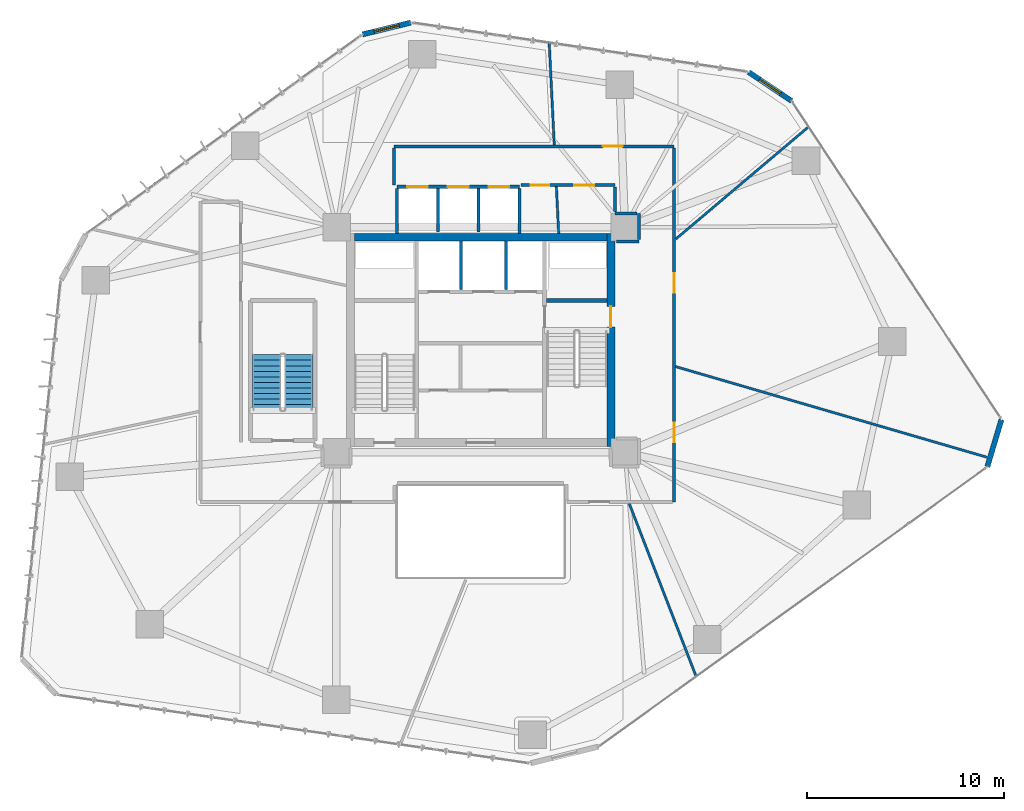
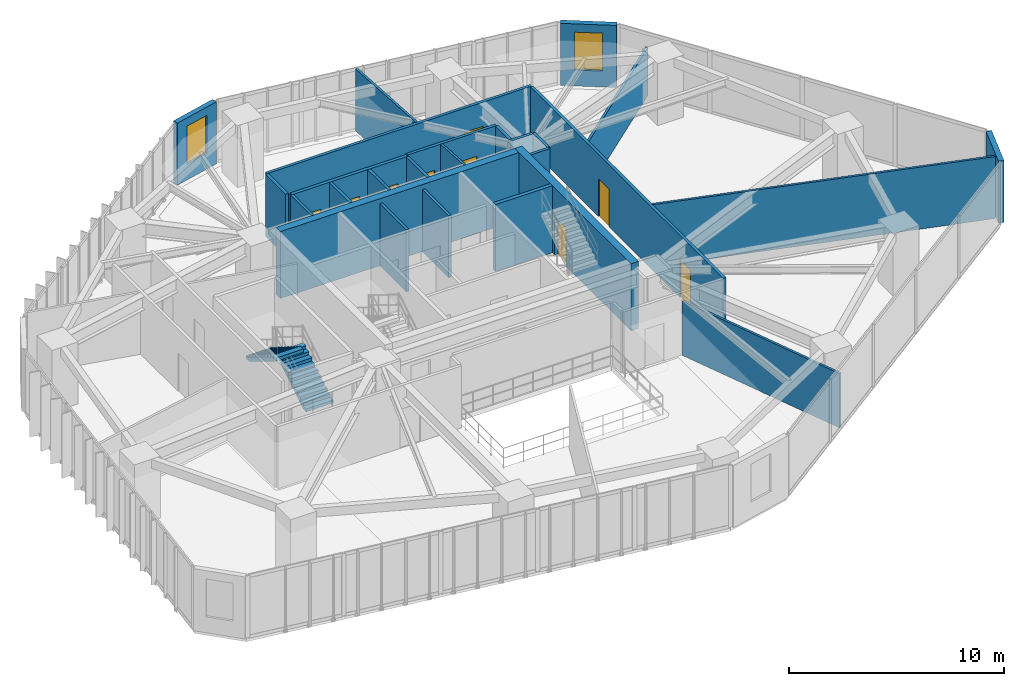
# One storey, part 19 of 22: 26 walls, 9 doors, 2 stair flights, 2 windows, 11 openings, 1 element without a shape of its own.
"""IFC4 building model written with IfcOpenShell, lengths in metres."""

from ifc_helpers import new_model, si_unit, direction, frame, frame_2d, origin, place, context, subcontext, project, spatial, polyline, rectangle, outline, extrude, source, transform, mapped, material, layer, layer_set, type_object, type_shapes, element, fill, aggregate, save


model = new_model("IFC4")

# Units and contexts
model_context = context("Model", 3, precision=1e-05, world=origin(), true_north=direction((0.0, 1.0)))
body_context = subcontext(model_context, "Body", "Model", "MODEL_VIEW")
ifc_project = project(units=[si_unit("LENGTHUNIT", "METRE"), si_unit("AREAUNIT", "SQUARE_METRE"), si_unit("VOLUMEUNIT", "CUBIC_METRE"), si_unit("PLANEANGLEUNIT", "RADIAN"), si_unit("MASSUNIT", "GRAM", prefix="KILO")], contexts=[model_context])

# Site, building, storey
site_placement = place(None, origin())
site = spatial("IfcSite", under=ifc_project, at=site_placement, CompositionType="ELEMENT")
building_placement = place(site_placement, origin())
building = spatial("IfcBuilding", under=site, at=building_placement, Name="Talar Marvaseh", CompositionType="ELEMENT")
storey_placement = place(building_placement, frame((0.0, 0.0, 65.800048828125)))
storey = spatial("IfcBuildingStorey", under=building, at=storey_placement, Name="L16", CompositionType="ELEMENT", Elevation=65.800048828125)

# Wall, opening, window
ifc_material_1 = material(Name="Precast concrete C45/55", Category="concrete")
ifc_layer_1 = layer(ifc_material_1, 0.27001953125)
ifc_layer_set_1 = layer_set([ifc_layer_1], Name="Precast concrete C45/55")
wall_type_1 = type_object("IfcWallType", Name="Chamfered Hexagonal Corner Pier Wall Z1 270", PredefinedType="SOLIDWALL", material=ifc_layer_set_1)
wall_1_placement = place(storey_placement, frame((20.012451171875, 46.676513671875, 0.0), z_axis=(0.0, 0.0, 1.0), x_axis=(0.971351734303, 0.237646393337, 0.0)))
wall_1 = element("IfcWall", 1, at=wall_1_placement, inside=storey, type_object=wall_type_1, Name="L16 Chamfered Corner Limestone Pier 3", PredefinedType="SOLIDWALL", context=body_context, shape_type="SweptSolid", body=[
    extrude(rectangle(XDim=2.515869140625, YDim=0.27001953125, at=frame_2d((1.2578125, 0.0))), origin(), (0.0, 0.0, 1.0), 3.52001953125),
])
opening_1_placement = place(wall_1_placement, frame((0.60791015625, 0.0, 0.89990234375)))
opening_1 = element("IfcOpeningElement", 2, at=opening_1_placement, cuts=wall_1, Name="Opening WN-CHM13", PredefinedType="OPENING", context=body_context, shape_type="SweptSolid", body=[
    extrude(rectangle(XDim=1.300048828125, YDim=2.14990234375, at=frame_2d((0.64990234375, 1.074951171875))), frame((0.0, 0.14501953125, 0.0), z_axis=(0.0, -1.0, 0.0), x_axis=(1.0, 0.0, 0.0)), (0.0, 0.0, 1.0), 0.2900390625),
])
ifc_material_2 = material(Name="Laminated Low-E Solar Glass", Category="glass")
window_type = type_object("IfcWindowType", Name="Zone 1 Chamfered Corner Slot Window 1300x2150", PartitioningType="SINGLE_PANEL", PredefinedType="WINDOW", material=ifc_material_2)
shared_shape_1 = source(origin(), body_context, "Body", "SweptSolid", [
    extrude(rectangle(XDim=1.300048828125, YDim=2.14990234375, at=frame_2d((0.64990234375, 1.074951171875))), frame((0.0, 0.030029296875, 0.0), z_axis=(0.0, -1.0, 0.0), x_axis=(1.0, 0.0, 0.0)), (0.0, 0.0, 1.0), 0.06005859375),
])
type_shapes(window_type, [shared_shape_1])
window_1_placement = place(opening_1_placement, origin())
window_1 = element("IfcWindow", 3, at=window_1_placement, inside=storey, type_object=window_type, Name="L16 Chamfered Corner Slot Window", OverallHeight=2.14990234375, OverallWidth=1.300048828125, PartitioningType="SINGLE_PANEL", PredefinedType="WINDOW", context=body_context, shape_type="MappedRepresentation", body=[
    mapped(shared_shape_1, transform((0.0, 0.0, 0.0), x_axis=(1.0, 0.0, 0.0), y_axis=(0.0, 1.0, 0.0), z_axis=(0.0, 0.0, 1.0), scale=1.0)),
])
fill(opening_1, window_1)

wall_2_placement = place(storey_placement, frame((39.570068359375, 44.770751953125, 0.0), z_axis=(0.0, 0.0, 1.0), x_axis=(0.83025620143, -0.557381951616, 0.0)))
wall_2 = element("IfcWall", 4, at=wall_2_placement, inside=storey, type_object=wall_type_1, Name="L16 Chamfered Corner Limestone Pier 4", PredefinedType="SOLIDWALL", context=body_context, shape_type="SweptSolid", body=[
    extrude(rectangle(XDim=2.623291015625, YDim=0.27001953125, at=frame_2d((1.3115234375, 0.0))), origin(), (0.0, 0.0, 1.0), 3.52001953125),
])
opening_2_placement = place(wall_2_placement, frame((0.662109375, 0.0, 0.89990234375)))
opening_2 = element("IfcOpeningElement", 5, at=opening_2_placement, cuts=wall_2, Name="Opening WN-CHM13", PredefinedType="OPENING", context=body_context, shape_type="SweptSolid", body=[
    extrude(rectangle(XDim=1.300048828125, YDim=2.14990234375, at=frame_2d((0.64990234375, 1.074951171875))), frame((0.0, 0.14501953125, 0.0), z_axis=(0.0, -1.0, 0.0), x_axis=(1.0, 0.0, 0.0)), (0.0, 0.0, 1.0), 0.2900390625),
])
window_2_placement = place(opening_2_placement, origin())
window_2 = element("IfcWindow", 6, at=window_2_placement, inside=storey, type_object=window_type, Name="L16 Chamfered Corner Slot Window", OverallHeight=2.14990234375, OverallWidth=1.300048828125, PartitioningType="SINGLE_PANEL", PredefinedType="WINDOW", context=body_context, shape_type="MappedRepresentation", body=[
    mapped(shared_shape_1, transform((0.0, 0.0, 0.0), x_axis=(1.0, 0.0, 0.0), y_axis=(0.0, 1.0, 0.0), z_axis=(0.0, 0.0, 1.0), scale=1.0)),
])
fill(opening_2, window_2)

# Wall
wall_3_placement = place(storey_placement, frame((52.379150390625, 27.15771484375, 0.0), z_axis=(0.0, 0.0, 1.0), x_axis=(-0.286978186345, -0.957937117228, 0.0)))
element("IfcWall", 7, at=wall_3_placement, inside=storey, type_object=wall_type_1, Name="L16 Chamfered Corner Limestone Pier 5", PredefinedType="SOLIDWALL", context=body_context, shape_type="SweptSolid", body=[
    extrude(rectangle(XDim=2.484130859375, YDim=0.27001953125, at=frame_2d((1.2421875, 0.0))), origin(), (0.0, 0.0, 1.0), 3.52001953125),
])

# Wall, openings, doors
ifc_material_3 = material(Name="Gypsum Board Partition Assembly")
ifc_layer_2 = layer(ifc_material_3, 0.155029296875)
ifc_layer_set_2 = layer_set([ifc_layer_2], Name="Gypsum Board Partition Assembly")
wall_type_2 = type_object("IfcWallType", Name="Corridor Fire-Rated Acoustic Partition 155", PredefinedType="PARTITIONING", material=ifc_layer_set_2)
wall_4_placement = place(storey_placement, frame((32.800048828125, 39.0400390625, 0.0), z_axis=(0.0, 0.0, 1.0), x_axis=(-1.0, 0.0, 0.0)))
wall_4 = element("IfcWall", 8, at=wall_4_placement, inside=storey, type_object=wall_type_2, Name="L16 Interior Partition Wall", PredefinedType="PARTITIONING", context=body_context, shape_type="SweptSolid", body=[
    extrude(rectangle(XDim=4.77001953125, YDim=0.155029296875, at=frame_2d((2.385009765625, 0.0))), origin(), (0.0, 0.0, 1.0), 3.52001953125),
])
opening_3_placement = place(wall_4_placement, frame((1.056884765625, 0.0, 0.0)))
opening_3 = element("IfcOpeningElement", 9, at=opening_3_placement, cuts=wall_4, Name="Opening DR-RM100", PredefinedType="OPENING", context=body_context, shape_type="SweptSolid", body=[
    extrude(rectangle(XDim=1.0, YDim=2.14990234375, at=frame_2d((0.5, 1.074951171875))), frame((0.0, 0.08740234375, 0.0), z_axis=(0.0, -1.0, 0.0), x_axis=(1.0, 0.0, 0.0)), (0.0, 0.0, 1.0), 0.175048828125),
])
opening_4_placement = place(wall_4_placement, frame((3.326904296875, 0.0, 0.0)))
opening_4 = element("IfcOpeningElement", 10, at=opening_4_placement, cuts=wall_4, Name="Opening DR-WC095", PredefinedType="OPENING", context=body_context, shape_type="SweptSolid", body=[
    extrude(rectangle(XDim=0.949951171875, YDim=2.14990234375, at=frame_2d((0.47509765625, 1.074951171875))), frame((0.0, 0.08740234375, 0.0), z_axis=(0.0, -1.0, 0.0), x_axis=(1.0, 0.0, 0.0)), (0.0, 0.0, 1.0), 0.175048828125),
])
ifc_material_4 = material(Name="Acoustic Engineered Oak Timber", Category="wood")
door_type_1 = type_object("IfcDoorType", Name="Washroom and Service Room Door 950x2150", OperationType="NOTDEFINED", PredefinedType="DOOR", material=ifc_material_4)
shared_shape_2 = source(origin(), body_context, "Body", "SweptSolid", [
    extrude(rectangle(XDim=0.949951171875, YDim=2.14990234375, at=frame_2d((0.47509765625, 1.074951171875))), frame((0.0, 0.02490234375, 0.0), z_axis=(0.0, -1.0, 0.0), x_axis=(1.0, 0.0, 0.0)), (0.0, 0.0, 1.0), 0.050048828125),
])
type_shapes(door_type_1, [shared_shape_2])
door_1_placement = place(opening_4_placement, origin())
door_1 = element("IfcDoor", 11, at=door_1_placement, inside=storey, type_object=door_type_1, Name="L16 WC Public Washrooms Door", OperationType="SINGLE_SWING_LEFT", OverallHeight=2.14990234375, OverallWidth=0.949951171875, PredefinedType="DOOR", context=body_context, shape_type="MappedRepresentation", body=[
    mapped(shared_shape_2, transform((0.0, 0.0, 0.0), x_axis=(1.0, 0.0, 0.0), y_axis=(0.0, 1.0, 0.0), z_axis=(0.0, 0.0, 1.0), scale=1.0)),
])
fill(opening_4, door_1)
door_type_2 = type_object("IfcDoorType", Name="Corridor Fire-Rated Gallery Door 1000x2150", OperationType="NOTDEFINED", PredefinedType="DOOR", material=ifc_material_4)
shared_shape_3 = source(origin(), body_context, "Body", "SweptSolid", [
    extrude(rectangle(XDim=1.0, YDim=2.14990234375, at=frame_2d((0.5, 1.074951171875))), frame((0.0, 0.02490234375, 0.0), z_axis=(0.0, -1.0, 0.0), x_axis=(1.0, 0.0, 0.0)), (0.0, 0.0, 1.0), 0.050048828125),
])
type_shapes(door_type_2, [shared_shape_3])
door_2_placement = place(opening_3_placement, origin())
door_2 = element("IfcDoor", 12, at=door_2_placement, inside=storey, type_object=door_type_2, Name="L16 Archival Facsimile Boutique Door", OperationType="SINGLE_SWING_RIGHT", OverallHeight=2.14990234375, OverallWidth=1.0, PredefinedType="DOOR", context=body_context, shape_type="MappedRepresentation", body=[
    mapped(shared_shape_3, transform((0.0, 0.0, 0.0), x_axis=(1.0, 0.0, 0.0), y_axis=(0.0, 1.0, 0.0), z_axis=(0.0, 0.0, 1.0), scale=1.0)),
])
fill(opening_3, door_2)

# Wall, opening, door
wall_5_placement = place(storey_placement, frame((21.60009765625, 41.0, 0.0), z_axis=(0.0, 0.0, 1.0), x_axis=(1.0, 0.0, 0.0)))
wall_5 = element("IfcWall", 13, at=wall_5_placement, inside=storey, type_object=wall_type_2, Name="L16 Interior Partition Wall", PredefinedType="PARTITIONING", context=body_context, shape_type="SweptSolid", body=[
    extrude(rectangle(XDim=14.199951171875, YDim=0.155029296875, at=frame_2d((7.10009765625, 0.0))), origin(), (0.0, 0.0, 1.0), 3.52001953125),
])
opening_5_placement = place(wall_5_placement, frame((10.59423828125, 0.0, 0.0)))
opening_5 = element("IfcOpeningElement", 14, at=opening_5_placement, cuts=wall_5, Name="Opening DR-RM100", PredefinedType="OPENING", context=body_context, shape_type="SweptSolid", body=[
    extrude(rectangle(XDim=1.0, YDim=2.14990234375, at=frame_2d((0.5, 1.074951171875))), frame((0.0, 0.08740234375, 0.0), z_axis=(0.0, -1.0, 0.0), x_axis=(1.0, 0.0, 0.0)), (0.0, 0.0, 1.0), 0.175048828125),
])
door_3_placement = place(opening_5_placement, origin())
door_3 = element("IfcDoor", 15, at=door_3_placement, inside=storey, type_object=door_type_2, Name="L16 Chamber Recital Salon Door", OperationType="SINGLE_SWING_LEFT", OverallHeight=2.14990234375, OverallWidth=1.0, PredefinedType="DOOR", context=body_context, shape_type="MappedRepresentation", body=[
    mapped(shared_shape_3, transform((0.0, 0.0, 0.0), x_axis=(1.0, 0.0, 0.0), y_axis=(0.0, 1.0, 0.0), z_axis=(0.0, 0.0, 1.0), scale=1.0)),
])
fill(opening_5, door_3)

# Wall, openings, doors
wall_6_placement = place(storey_placement, frame((35.800048828125, 40.91650390625, 0.0), z_axis=(0.0, 0.0, 1.0), x_axis=(0.0, -1.0, 0.0)))
wall_6 = element("IfcWall", 16, at=wall_6_placement, inside=storey, type_object=wall_type_2, Name="L16 Interior Partition Wall", PredefinedType="PARTITIONING", context=body_context, shape_type="SweptSolid", body=[
    extrude(rectangle(XDim=17.91650390625, YDim=0.155029296875, at=frame_2d((8.958251953125, 0.0))), origin(), (0.0, 0.0, 1.0), 3.52001953125),
])
opening_6_placement = place(wall_6_placement, frame((13.91162109375, 0.0, 0.0)))
opening_6 = element("IfcOpeningElement", 17, at=opening_6_placement, cuts=wall_6, Name="Opening DR-RM100", PredefinedType="OPENING", context=body_context, shape_type="SweptSolid", body=[
    extrude(rectangle(XDim=1.0, YDim=2.14990234375, at=frame_2d((0.5, 1.074951171875))), frame((0.0, 0.08740234375, 0.0), z_axis=(0.0, -1.0, 0.0), x_axis=(1.0, 0.0, 0.0)), (0.0, 0.0, 1.0), 0.175048828125),
])
opening_7_placement = place(wall_6_placement, frame((6.339599609375, 0.0, 0.0)))
opening_7 = element("IfcOpeningElement", 18, at=opening_7_placement, cuts=wall_6, Name="Opening DR-RM100", PredefinedType="OPENING", context=body_context, shape_type="SweptSolid", body=[
    extrude(rectangle(XDim=1.0, YDim=2.14990234375, at=frame_2d((0.5, 1.074951171875))), frame((0.0, 0.08740234375, 0.0), z_axis=(0.0, -1.0, 0.0), x_axis=(1.0, 0.0, 0.0)), (0.0, 0.0, 1.0), 0.175048828125),
])
door_4_placement = place(opening_6_placement, origin())
door_4 = element("IfcDoor", 19, at=door_4_placement, inside=storey, type_object=door_type_2, Name="L16 Main Reading Room Door", OperationType="SINGLE_SWING_LEFT", OverallHeight=2.14990234375, OverallWidth=1.0, PredefinedType="DOOR", context=body_context, shape_type="MappedRepresentation", body=[
    mapped(shared_shape_3, transform((0.0, 0.0, 0.0), x_axis=(1.0, 0.0, 0.0), y_axis=(0.0, 1.0, 0.0), z_axis=(0.0, 0.0, 1.0), scale=1.0)),
])
fill(opening_6, door_4)
door_5_placement = place(opening_7_placement, origin())
door_5 = element("IfcDoor", 20, at=door_5_placement, inside=storey, type_object=door_type_2, Name="L16 Artisan Craft Showroom Door", OperationType="SINGLE_SWING_RIGHT", OverallHeight=2.14990234375, OverallWidth=1.0, PredefinedType="DOOR", context=body_context, shape_type="MappedRepresentation", body=[
    mapped(shared_shape_3, transform((0.0, 0.0, 0.0), x_axis=(1.0, 0.0, 0.0), y_axis=(0.0, 1.0, 0.0), z_axis=(0.0, 0.0, 1.0), scale=1.0)),
])
fill(opening_7, door_5)

# Walls
wall_7_placement = place(storey_placement, frame((32.8701171875, 36.18505859375, 0.0), z_axis=(0.0, 0.0, 1.0), x_axis=(0.999988932255, 0.00470482389, 0.0)))
element("IfcWall", 21, at=wall_7_placement, inside=storey, type_object=wall_type_2, Name="L16 Interior Partition Wall", PredefinedType="PARTITIONING", context=body_context, shape_type="SweptSolid", body=[
    extrude(rectangle(XDim=1.1416015625, YDim=0.155029296875, at=frame_2d((0.57080078125, 0.0))), origin(), (0.0, 0.0, 1.0), 3.52001953125),
])
wall_8_placement = place(storey_placement, frame((34.01171875, 36.27392578125, 0.0), z_axis=(0.0, 0.0, 1.0), x_axis=(0.0, 1.0, 0.0)))
element("IfcWall", 22, at=wall_8_placement, inside=storey, type_object=wall_type_2, Name="L16 Interior Partition Wall", PredefinedType="PARTITIONING", context=body_context, shape_type="SweptSolid", body=[
    extrude(rectangle(XDim=1.335693359375, YDim=0.155029296875, at=frame_2d((0.66796875, 0.0))), origin(), (0.0, 0.0, 1.0), 3.52001953125),
])
wall_9_placement = place(storey_placement, frame((33.927978515625, 37.60986328125, 0.0), z_axis=(0.0, 0.0, 1.0), x_axis=(-0.999989669582, 0.004545407589, 0.0)))
element("IfcWall", 23, at=wall_9_placement, inside=storey, type_object=wall_type_2, Name="L16 Interior Partition Wall", PredefinedType="PARTITIONING", context=body_context, shape_type="SweptSolid", body=[
    extrude(rectangle(XDim=1.1279296875, YDim=0.155029296875, at=frame_2d((0.56396484375, 0.0))), origin(), (0.0, 0.0, 1.0), 3.52001953125),
])
wall_10_placement = place(storey_placement, frame((32.800048828125, 37.698486328125, 0.0), z_axis=(0.0, 0.0, 1.0), x_axis=(0.0, 1.0, 0.0)))
element("IfcWall", 24, at=wall_10_placement, inside=storey, type_object=wall_type_2, Name="L16 Interior Partition Wall", PredefinedType="PARTITIONING", context=body_context, shape_type="SweptSolid", body=[
    extrude(rectangle(XDim=1.258056640625, YDim=0.155029296875, at=frame_2d((0.62890625, 0.0))), origin(), (0.0, 0.0, 1.0), 3.52001953125),
])
wall_11_placement = place(storey_placement, frame((21.60009765625, 39.0400390625, 0.0), z_axis=(0.0, 0.0, 1.0), x_axis=(0.0, 1.0, 0.0)))
element("IfcWall", 25, at=wall_11_placement, inside=storey, type_object=wall_type_2, Name="L16 Interior Partition Wall", PredefinedType="PARTITIONING", context=body_context, shape_type="SweptSolid", body=[
    extrude(rectangle(XDim=1.87646484375, YDim=0.155029296875, at=frame_2d((0.938232421875, 0.0))), origin(), (0.0, 0.0, 1.0), 3.52001953125),
])
ifc_layer_3 = layer(ifc_material_3, 0.1201171875)
ifc_layer_set_3 = layer_set([ifc_layer_3], Name="Gypsum Board Partition Assembly")
wall_type_3 = type_object("IfcWallType", Name="Demountable Studio Room Partition 120", PredefinedType="PARTITIONING", material=ifc_layer_set_3)
wall_12_placement = place(storey_placement, frame((33.5224609375, 22.91650390625, 0.0), z_axis=(0.0, 0.0, 1.0), x_axis=(0.360764765999, -0.932656841295, 0.0)))
element("IfcWall", 26, at=wall_12_placement, inside=storey, type_object=wall_type_3, Name="L16 Interior Partition Wall", PredefinedType="PARTITIONING", context=body_context, shape_type="SweptSolid", body=[
    extrude(rectangle(XDim=9.378173828125, YDim=0.1201171875, at=frame_2d((4.68896484375, 0.0))), origin(), (0.0, 0.0, 1.0), 3.08203125),
])
wall_13_placement = place(storey_placement, frame((35.8623046875, 29.851806640625, 0.0), z_axis=(0.0, 0.0, 1.0), x_axis=(0.960136057602, -0.279533094451, 0.0)))
element("IfcWall", 27, at=wall_13_placement, inside=storey, type_object=wall_type_3, Name="L16 Interior Partition Wall", PredefinedType="PARTITIONING", context=body_context, shape_type="SweptSolid", body=[
    extrude(rectangle(XDim=16.42578125, YDim=0.1201171875, at=frame_2d((8.212890625, 0.0))), origin(), (0.0, 0.0, 1.0), 3.52001953125),
])
wall_14_placement = place(storey_placement, frame((35.883544921875, 36.310791015625, 0.0), z_axis=(0.0, 0.0, 1.0), x_axis=(0.763696976584, 0.645574881758, 0.0)))
element("IfcWall", 28, at=wall_14_placement, inside=storey, type_object=wall_type_3, Name="L16 Interior Partition Wall", PredefinedType="PARTITIONING", context=body_context, shape_type="SweptSolid", body=[
    extrude(rectangle(XDim=8.790283203125, YDim=0.1201171875, at=frame_2d((4.39501953125, 0.0))), origin(), (0.0, 0.0, 1.0), 2.721923828125),
])
wall_15_placement = place(storey_placement, frame((29.726806640625, 41.06494140625, 0.0), z_axis=(0.0, 0.0, 1.0), x_axis=(-0.049443000635, 0.998776946915, 0.0)))
element("IfcWall", 29, at=wall_15_placement, inside=storey, type_object=wall_type_3, Name="L16 Interior Partition Wall", PredefinedType="PARTITIONING", context=body_context, shape_type="SweptSolid", body=[
    extrude(rectangle(XDim=5.169921875, YDim=0.1201171875, at=frame_2d((2.5849609375, 0.0))), origin(), (0.0, 0.0, 1.0), 3.52001953125),
])
wall_16_placement = place(storey_placement, frame((29.949951171875, 36.60009765625, 0.0), z_axis=(0.0, 0.0, 1.0), x_axis=(-0.049077302831, 0.998794983141, 0.0)))
element("IfcWall", 30, at=wall_16_placement, inside=storey, type_object=wall_type_3, Name="L16 Interior Partition Wall", PredefinedType="PARTITIONING", context=body_context, shape_type="SweptSolid", body=[
    extrude(rectangle(XDim=2.3779296875, YDim=0.1201171875, at=frame_2d((1.18896484375, 0.0))), origin(), (0.0, 0.0, 1.0), 3.52001953125),
])
ifc_layer_4 = layer(ifc_material_1, 0.14501953125)
ifc_layer_set_4 = layer_set([ifc_layer_4], Name="Precast concrete C45/55")
wall_type_4 = type_object("IfcWallType", Name="Fire-Rated Lift Divider Wall 145", PredefinedType="SOLIDWALL", material=ifc_layer_set_4)
for number, where, z_axis, x_axis, name in (
    (31, (25.0, 33.743408203125, 0.0), (0.0, 0.0, 1.0), (0.0, 1.0, 0.0), "L16 FFL-1/FFL-2 Divider"),
    (32, (27.280029296875, 33.743408203125, 0.0), (0.0, 0.0, 1.0), (0.0, 1.0, 0.0), "L16 FFL-2/SVL-1 Divider"),
):
    element("IfcWall", number, at=place(storey_placement, frame(where, z_axis=z_axis, x_axis=x_axis)), inside=storey, type_object=wall_type_4, Name=name, PredefinedType="SOLIDWALL", context=body_context, shape_type="SweptSolid", body=[
        extrude(rectangle(XDim=2.45654296875, YDim=0.14501953125, at=frame_2d((1.228271484375, 0.0))), origin(), (0.0, 0.0, 1.0), 3.52001953125),
    ])
for number, where, z_axis, x_axis, name in (
    (33, (21.760009765625, 36.60009765625, 0.0), (0.0, 0.0, 1.0), (0.0, 1.0, 0.0), "L16 Low-Rise Bank West Wall"),
    (34, (27.9599609375, 36.60009765625, 0.0), (0.0, 0.0, 1.0), (0.0, 1.0, 0.0), "L16 Low-Rise Bank East Wall"),
):
    element("IfcWall", number, at=place(storey_placement, frame(where, z_axis=z_axis, x_axis=x_axis)), inside=storey, type_object=wall_type_4, Name=name, PredefinedType="SOLIDWALL", context=body_context, shape_type="SweptSolid", body=[
        extrude(rectangle(XDim=2.266357421875, YDim=0.14501953125, at=frame_2d((1.13330078125, 0.0))), origin(), (0.0, 0.0, 1.0), 3.52001953125),
    ])
for number, where, z_axis, x_axis, name in (
    (35, (23.830078125, 36.659912109375, 0.0), (0.0, 0.0, 1.0), (0.0, 1.0, 0.0), "L16 PL-L1/PL-L2 Divider"),
    (36, (25.889892578125, 36.659912109375, 0.0), (0.0, 0.0, 1.0), (0.0, 1.0, 0.0), "L16 PL-L2/PL-L3 Divider"),
):
    element("IfcWall", number, at=place(storey_placement, frame(where, z_axis=z_axis, x_axis=x_axis)), inside=storey, type_object=wall_type_4, Name=name, PredefinedType="SOLIDWALL", context=body_context, shape_type="SweptSolid", body=[
        extrude(rectangle(XDim=2.20654296875, YDim=0.14501953125, at=frame_2d((1.103271484375, 0.0))), origin(), (0.0, 0.0, 1.0), 3.52001953125),
    ])

# Wall, openings, doors
ifc_layer_5 = layer(ifc_material_1, 0.175048828125)
ifc_layer_set_5 = layer_set([ifc_layer_5], Name="Precast concrete C45/55")
wall_type_5 = type_object("IfcWallType", Name="Fire-Rated Lift Hoistway Enclosure Wall 175", PredefinedType="SOLIDWALL", material=ifc_layer_set_5)
wall_17_placement = place(storey_placement, frame((21.760009765625, 38.9599609375, 0.0), z_axis=(0.0, 0.0, 1.0), x_axis=(1.0, 0.0, 0.0)))
wall_17 = element("IfcWall", 37, at=wall_17_placement, inside=storey, type_object=wall_type_5, Name="L16 Low-Rise Lift Bank Front Wall", PredefinedType="SOLIDWALL", context=body_context, shape_type="SweptSolid", body=[
    extrude(rectangle(XDim=6.199951171875, YDim=0.175048828125, at=frame_2d((3.10009765625, 0.0))), origin(), (0.0, 0.0, 1.0), 3.52001953125),
])
opening_8_placement = place(wall_17_placement, frame((0.52001953125, 0.0, 0.0)))
opening_8 = element("IfcOpeningElement", 38, at=opening_8_placement, cuts=wall_17, Name="Opening LD-PLL1", PredefinedType="OPENING", context=body_context, shape_type="SweptSolid", body=[
    extrude(rectangle(XDim=1.050048828125, YDim=2.14990234375, at=frame_2d((0.52490234375, 1.074951171875))), frame((0.0, 0.09765625, 0.0), z_axis=(0.0, -1.0, 0.0), x_axis=(1.0, 0.0, 0.0)), (0.0, 0.0, 1.0), 0.195068359375),
])
opening_9_placement = place(wall_17_placement, frame((2.580078125, 0.0, 0.0)))
opening_9 = element("IfcOpeningElement", 39, at=opening_9_placement, cuts=wall_17, Name="Opening LD-PLL2", PredefinedType="OPENING", context=body_context, shape_type="SweptSolid", body=[
    extrude(rectangle(XDim=1.050048828125, YDim=2.14990234375, at=frame_2d((0.52490234375, 1.074951171875))), frame((0.0, 0.09765625, 0.0), z_axis=(0.0, -1.0, 0.0), x_axis=(1.0, 0.0, 0.0)), (0.0, 0.0, 1.0), 0.195068359375),
])
opening_10_placement = place(wall_17_placement, frame((4.639892578125, 0.0, 0.0)))
opening_10 = element("IfcOpeningElement", 40, at=opening_10_placement, cuts=wall_17, Name="Opening LD-PLL3", PredefinedType="OPENING", context=body_context, shape_type="SweptSolid", body=[
    extrude(rectangle(XDim=1.050048828125, YDim=2.14990234375, at=frame_2d((0.52490234375, 1.074951171875))), frame((0.0, 0.09765625, 0.0), z_axis=(0.0, -1.0, 0.0), x_axis=(1.0, 0.0, 0.0)), (0.0, 0.0, 1.0), 0.195068359375),
])
ifc_material_5 = material(Name="Stainless Steel Grade 316", Category="steel")
door_type_3 = type_object("IfcDoorType", Name="Automatic Sliding Lift Landing Door 1050x2150", OperationType="NOTDEFINED", PredefinedType="DOOR", material=ifc_material_5)
shared_shape_4 = source(origin(), body_context, "Body", "SweptSolid", [
    extrude(rectangle(XDim=1.050048828125, YDim=2.14990234375, at=frame_2d((0.52490234375, 1.074951171875))), frame((0.0, 0.02490234375, 0.0), z_axis=(0.0, -1.0, 0.0), x_axis=(1.0, 0.0, 0.0)), (0.0, 0.0, 1.0), 0.050048828125),
])
type_shapes(door_type_3, [shared_shape_4])
door_6_placement = place(opening_8_placement, origin())
door_6 = element("IfcDoor", 41, at=door_6_placement, inside=storey, type_object=door_type_3, Name="L16 Lift PL-L1 Sliding Landing Door", OperationType="SLIDING_TO_LEFT", OverallHeight=2.14990234375, OverallWidth=1.050048828125, PredefinedType="DOOR", context=body_context, shape_type="MappedRepresentation", body=[
    mapped(shared_shape_4, transform((0.0, 0.0, 0.0), x_axis=(1.0, 0.0, 0.0), y_axis=(0.0, 1.0, 0.0), z_axis=(0.0, 0.0, 1.0), scale=1.0)),
])
fill(opening_8, door_6)
door_7_placement = place(opening_9_placement, origin())
door_7 = element("IfcDoor", 42, at=door_7_placement, inside=storey, type_object=door_type_3, Name="L16 Lift PL-L2 Sliding Landing Door", OperationType="SLIDING_TO_LEFT", OverallHeight=2.14990234375, OverallWidth=1.050048828125, PredefinedType="DOOR", context=body_context, shape_type="MappedRepresentation", body=[
    mapped(shared_shape_4, transform((0.0, 0.0, 0.0), x_axis=(1.0, 0.0, 0.0), y_axis=(0.0, 1.0, 0.0), z_axis=(0.0, 0.0, 1.0), scale=1.0)),
])
fill(opening_9, door_7)
door_8_placement = place(opening_10_placement, origin())
door_8 = element("IfcDoor", 43, at=door_8_placement, inside=storey, type_object=door_type_3, Name="L16 Lift PL-L3 Sliding Landing Door", OperationType="SLIDING_TO_LEFT", OverallHeight=2.14990234375, OverallWidth=1.050048828125, PredefinedType="DOOR", context=body_context, shape_type="MappedRepresentation", body=[
    mapped(shared_shape_4, transform((0.0, 0.0, 0.0), x_axis=(1.0, 0.0, 0.0), y_axis=(0.0, 1.0, 0.0), z_axis=(0.0, 0.0, 1.0), scale=1.0)),
])
fill(opening_10, door_8)

# Wall, opening, door
ifc_material_6 = material(Name="Concrete C70/85", Category="concrete")
ifc_layer_6 = layer(ifc_material_6, 0.39990234375)
ifc_layer_set_6 = layer_set([ifc_layer_6], Name="Concrete C70/85")
wall_type_6 = type_object("IfcWallType", Name="Lower Core Reinforced Concrete Shear Wall 400", PredefinedType="SHEAR", material=ifc_layer_set_6)
wall_18_placement = place(storey_placement, frame((32.60009765625, 36.60009765625, 0.0), z_axis=(0.0, 0.0, 1.0), x_axis=(0.0, -1.0, 0.0)))
wall_18 = element("IfcWall", 44, at=wall_18_placement, inside=storey, type_object=wall_type_6, Name="L16 East Core Shear Wall", PredefinedType="SHEAR", context=body_context, shape_type="SweptSolid", body=[
    extrude(rectangle(XDim=10.800048828125, YDim=0.39990234375, at=frame_2d((5.39990234375, 0.0))), origin(), (0.0, 0.0, 1.0), 3.800048828125),
])
opening_11_placement = place(wall_18_placement, frame((3.699951171875, 0.0, 0.0)))
opening_11 = element("IfcOpeningElement", 45, at=opening_11_placement, cuts=wall_18, Name="Opening DR-ST105", PredefinedType="OPENING", context=body_context, shape_type="SweptSolid", body=[
    extrude(rectangle(XDim=1.050048828125, YDim=2.14990234375, at=frame_2d((0.52490234375, 1.074951171875))), frame((0.0, 0.2099609375, 0.0), z_axis=(0.0, -1.0, 0.0), x_axis=(1.0, 0.0, 0.0)), (0.0, 0.0, 1.0), 0.419921875),
])
ifc_material_7 = material(Name="Fire-Rated Steel Door Leaf", Category="steel")
door_type_4 = type_object("IfcDoorType", Name="Protected Exit Stair Fire Door 1050x2150", OperationType="NOTDEFINED", PredefinedType="DOOR", material=ifc_material_7)
shared_shape_5 = source(origin(), body_context, "Body", "SweptSolid", [
    extrude(rectangle(XDim=1.050048828125, YDim=2.14990234375, at=frame_2d((0.52490234375, 1.074951171875))), frame((0.0, 0.02490234375, 0.0), z_axis=(0.0, -1.0, 0.0), x_axis=(1.0, 0.0, 0.0)), (0.0, 0.0, 1.0), 0.050048828125),
])
type_shapes(door_type_4, [shared_shape_5])
door_9_placement = place(opening_11_placement, origin())
door_9 = element("IfcDoor", 46, at=door_9_placement, inside=storey, type_object=door_type_4, Name="L16 Stair ST-2 Corridor Exit Door", OperationType="SINGLE_SWING_LEFT", OverallHeight=2.14990234375, OverallWidth=1.050048828125, PredefinedType="DOOR", context=body_context, shape_type="MappedRepresentation", body=[
    mapped(shared_shape_5, transform((0.0, 0.0, 0.0), x_axis=(1.0, 0.0, 0.0), y_axis=(0.0, 1.0, 0.0), z_axis=(0.0, 0.0, 1.0), scale=1.0)),
])
fill(opening_11, door_9)

# Walls
wall_19_placement = place(storey_placement, frame((19.60009765625, 36.39990234375, 0.0), z_axis=(0.0, 0.0, 1.0), x_axis=(1.0, 0.0, 0.0)))
element("IfcWall", 47, at=wall_19_placement, inside=storey, type_object=wall_type_6, Name="L16 North Core Shear Wall", PredefinedType="SHEAR", context=body_context, shape_type="SweptSolid", body=[
    extrude(rectangle(XDim=12.7998046875, YDim=0.39990234375, at=frame_2d((6.39990234375, 0.0))), origin(), (0.0, 0.0, 1.0), 3.800048828125),
])
ifc_material_8 = material(Name="Concrete C50/60", Category="concrete")
ifc_layer_7 = layer(ifc_material_8, 0.199951171875)
ifc_layer_set_7 = layer_set([ifc_layer_7], Name="Concrete C50/60")
wall_type_7 = type_object("IfcWallType", Name="Stair Shaft Structural Concrete Shear Wall 200", PredefinedType="SHEAR", material=ifc_layer_set_7)
wall_20_placement = place(storey_placement, frame((29.340087890625, 33.199951171875, 0.0), z_axis=(0.0, 0.0, 1.0), x_axis=(1.0, 0.0, 0.0)))
element("IfcWall", 48, at=wall_20_placement, inside=storey, type_object=wall_type_7, Name="L16 Stair ST-2 North Shear Wall", PredefinedType="SHEAR", context=body_context, shape_type="SweptSolid", body=[
    extrude(rectangle(XDim=3.059814453125, YDim=0.199951171875, at=frame_2d((1.52978515625, 0.0))), origin(), (0.0, 0.0, 1.0), 3.800048828125),
])

# Stair, stair flights
ifc_material_9 = material(Name="Concrete C40/50", Category="concrete")
stair_type = type_object("IfcStairType", Name="Reinforced Concrete Half-Turn Exit Stair Type B", PredefinedType="HALF_TURN_STAIR", material=ifc_material_9)
stair_placement = place(storey_placement, origin())
stair = element("IfcStair", 49, at=stair_placement, inside=storey, type_object=stair_type, Name="L16 Museum & Podium Auxiliary Exit Stair", PredefinedType="HALF_TURN_STAIR")
ifc_layer_8 = layer(ifc_material_9, 0.159912109375)
ifc_layer_set_8 = layer_set([ifc_layer_8], Name="Concrete C40/50")
stair_flight_type = type_object("IfcStairFlightType", Name="Reinforced Concrete Straight Stair Flight 160", PredefinedType="STRAIGHT", material=ifc_layer_set_8)
stair_flight_1_placement = place(storey_placement, frame((16.77490234375, 27.64990234375, 0.0), z_axis=(0.0, 0.0, 1.0), x_axis=(0.0, 1.0, 0.0)))
stair_flight_1 = element("IfcStairFlight", 50, at=stair_flight_1_placement, type_object=stair_flight_type, Name="ST-3 flight 1", NumberOfRisers=11, NumberOfTreads=10, PredefinedType="STRAIGHT", RiserHeight=0.172727273, TreadLength=0.28, context=body_context, shape_type="SweptSolid", body=[
    extrude(outline(polyline([(0.0, 0.0), (0.0, 0.172607421875), (0.280029296875, 0.172607421875), (0.280029296875, 0.345458984375), (0.56005859375, 0.345458984375), (0.56005859375, 0.51806640625), (0.840087890625, 0.51806640625), (0.840087890625, 0.69091796875), (1.1201171875, 0.69091796875), (1.1201171875, 0.863525390625), (1.39990234375, 0.863525390625), (1.39990234375, 1.036376953125), (1.679931640625, 1.036376953125), (1.679931640625, 1.208984375), (1.9599609375, 1.208984375), (1.9599609375, 1.3818359375), (2.239990234375, 1.3818359375), (2.239990234375, 1.554443359375), (2.52001953125, 1.554443359375), (2.52001953125, 1.727294921875), (2.800048828125, 1.727294921875), (2.800048828125, 1.89990234375), (2.800048828125, 1.539306640625), (0.3046875, 0.0), (0.0, 0.0)])), frame((0.0, 0.72509765625, 0.0), z_axis=(0.0, -1.0, 0.0), x_axis=(1.0, 0.0, 0.0)), (0.0, 0.0, 1.0), 1.449951171875),
])
stair_flight_2_placement = place(storey_placement, frame((15.1650390625, 30.449951171875, 1.89990234375), z_axis=(0.0, 0.0, 1.0), x_axis=(0.0, -1.0, 0.0)))
stair_flight_2 = element("IfcStairFlight", 51, at=stair_flight_2_placement, type_object=stair_flight_type, Name="ST-3 flight 2", NumberOfRisers=11, NumberOfTreads=10, PredefinedType="STRAIGHT", RiserHeight=0.172727273, TreadLength=0.28, context=body_context, shape_type="SweptSolid", body=[
    extrude(outline(polyline([(0.0, 0.0), (0.0, 0.172607421875), (0.280029296875, 0.172607421875), (0.280029296875, 0.345458984375), (0.56005859375, 0.345458984375), (0.56005859375, 0.51806640625), (0.840087890625, 0.51806640625), (0.840087890625, 0.69091796875), (1.1201171875, 0.69091796875), (1.1201171875, 0.863525390625), (1.39990234375, 0.863525390625), (1.39990234375, 1.036376953125), (1.679931640625, 1.036376953125), (1.679931640625, 1.208984375), (1.9599609375, 1.208984375), (1.9599609375, 1.3818359375), (2.239990234375, 1.3818359375), (2.239990234375, 1.554443359375), (2.52001953125, 1.554443359375), (2.52001953125, 1.727294921875), (2.800048828125, 1.727294921875), (2.800048828125, 1.89990234375), (2.800048828125, 1.539306640625), (0.3046875, 0.0), (0.0, 0.0)])), frame((0.0, 0.72509765625, 0.0), z_axis=(0.0, -1.0, 0.0), x_axis=(1.0, 0.0, 0.0)), (0.0, 0.0, 1.0), 1.449951171875),
])
aggregate(stair, [stair_flight_1, stair_flight_2])

save(model, "model.ifc")
